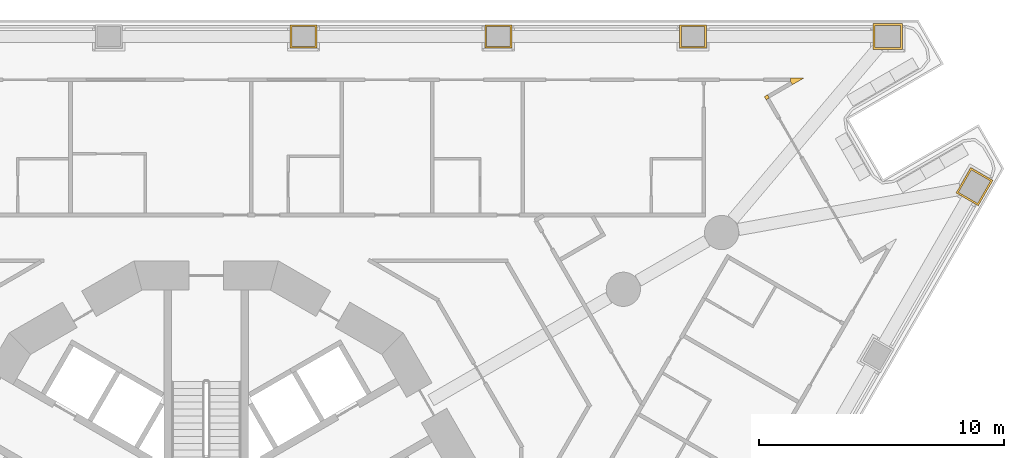
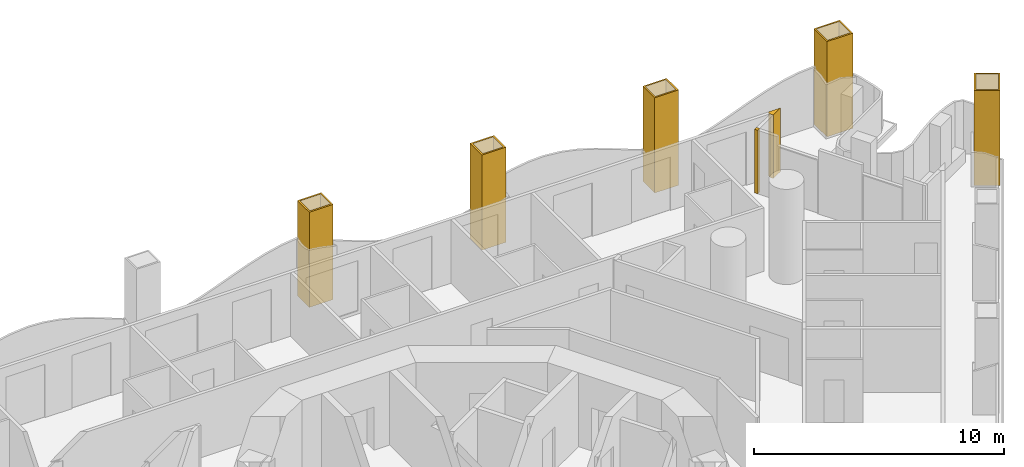
# One storey, part 18 of 19: 7 coverings.
"""IFC4 building model written with IfcOpenShell, lengths in metres."""

import ifcopenshell
import ifcopenshell.guid

model = None  # the IFC model being written
_history = None  # IfcOwnerHistory: only IFC2X3 demands one
_inside = {}  # id of a spatial element -> (the spatial element, [elements in it])
_under = {}  # id of a project, library or spatial element -> (it, [spatial elements below it])
_declared = {}  # id of a project -> (the project, [libraries it declares])
_typed = {}  # id of a type object -> (the type object, [elements of that type])
_made_of = {}  # id of a material, layer set ... -> (it, [elements and type objects made of it])


def new_model(schema):
    """Start an empty IFC model of exactly this schema.

    Asked for "IFC4X3", IfcOpenShell would pick the latest addendum, in which some entities
    have other attributes; the version numbers below select the first issue.
    IFC2X3 requires an IfcOwnerHistory on every rooted entity: one is made here for all.
    """
    global model, _history
    if schema == "IFC4X3":
        model = ifcopenshell.file(schema_version=(4, 3, 0, 0))
    else:
        model = ifcopenshell.file(schema=schema)
    _inside.clear()
    _under.clear()
    _declared.clear()
    _typed.clear()
    _made_of.clear()
    _history = None
    if model.schema == "IFC2X3":
        org = make("IfcOrganization", Name="unknown")
        user = make(
            "IfcPersonAndOrganization",
            ThePerson=make("IfcPerson", FamilyName="unknown"),
            TheOrganization=org,
        )
        app = make(
            "IfcApplication",
            ApplicationDeveloper=org,
            Version="unknown",
            ApplicationFullName="unknown",
            ApplicationIdentifier="unknown",
        )
        _history = make(
            "IfcOwnerHistory",
            OwningUser=user,
            OwningApplication=app,
            ChangeAction="ADDED",
            CreationDate=0,
        )
    return model


def make(cls, **values):
    """One entity of the class cls with the attributes given. An attribute that is None is left unset."""
    return model.create_entity(
        cls, **{name: value for name, value in values.items() if value is not None}
    )


def rooted(cls, **values):
    """An entity with a GlobalId (a new one), such as an element, a storey or a relation."""
    return make(cls, GlobalId=ifcopenshell.guid.new(), OwnerHistory=_history, **values)


def si_unit(unit_type, name, prefix=None):
    """IfcSIUnit, for example si_unit("LENGTHUNIT", "METRE", prefix="MILLI")."""
    return make("IfcSIUnit", UnitType=unit_type, Prefix=prefix, Name=name)


def assignment(units):
    """IfcUnitAssignment: the units of a project."""
    return None if units is None else make("IfcUnitAssignment", Units=units)


def point(xyz):
    """IfcCartesianPoint."""
    return None if xyz is None else make("IfcCartesianPoint", Coordinates=xyz)


def direction(xyz):
    """IfcDirection."""
    return None if xyz is None else make("IfcDirection", DirectionRatios=xyz)


def frame(location, z_axis=None, x_axis=None):
    """IfcAxis2Placement3D, a coordinate frame: its origin and axes. An axis left out is left unset."""
    return make(
        "IfcAxis2Placement3D",
        Location=point(location),
        Axis=direction(z_axis),
        RefDirection=direction(x_axis),
    )


def origin():
    """The frame at (0, 0, 0) with its axes left unset."""
    return frame((0.0, 0.0, 0.0))


def place(relative_to, where):
    """IfcLocalPlacement: puts the frame where relative to a parent placement (None: the world)."""
    return make(
        "IfcLocalPlacement", PlacementRelTo=relative_to, RelativePlacement=where
    )


def context(
    kind, dimensions, precision=None, world=None, true_north=None, identifier=None
):
    """IfcGeometricRepresentationContext, for example the 3D "Model" context."""
    return make(
        "IfcGeometricRepresentationContext",
        ContextIdentifier=identifier,
        ContextType=kind,
        CoordinateSpaceDimension=dimensions,
        Precision=precision,
        WorldCoordinateSystem=world,
        TrueNorth=true_north,
    )


def subcontext(parent, identifier, kind, view, scale=None):
    """IfcGeometricRepresentationSubContext, for example "Body" below "Model"."""
    return make(
        "IfcGeometricRepresentationSubContext",
        ContextIdentifier=identifier,
        ContextType=kind,
        ParentContext=parent,
        TargetScale=scale,
        TargetView=view,
    )


def project(units=None, contexts=None):
    """IfcProject with its units and contexts."""
    return rooted(
        "IfcProject",
        Name="project",
        RepresentationContexts=contexts,
        UnitsInContext=assignment(units),
    )


def spatial(cls, under=None, at=None, **own):
    """A site, building, storey or space (cls), placed at a placement, below another one or the project."""
    s = rooted(cls, ObjectPlacement=at, **own)
    if under is not None:
        _under.setdefault(under.id(), (under, []))[1].append(s)
    return s


def polyline(points):
    """IfcPolyline through the points."""
    return make("IfcPolyline", Points=[point(p) for p in points])


def outline(outer, holes=None, kind="AREA"):
    """IfcArbitraryClosedProfileDef: a profile drawn as a closed curve; with holes, ...WithVoids."""
    if holes is None:
        return make("IfcArbitraryClosedProfileDef", ProfileType=kind, OuterCurve=outer)
    return make(
        "IfcArbitraryProfileDefWithVoids",
        ProfileType=kind,
        OuterCurve=outer,
        InnerCurves=holes,
    )


def extrude(swept, where, along, depth):
    """IfcExtrudedAreaSolid: the profile swept, set in the frame where, extruded along a direction by depth."""
    return make(
        "IfcExtrudedAreaSolid",
        SweptArea=swept,
        Position=where,
        ExtrudedDirection=direction(along),
        Depth=depth,
    )


def shape(context_of_items, identifier, shape_type, items):
    """IfcShapeRepresentation: the items that make up one representation, for example the "Body"."""
    return make(
        "IfcShapeRepresentation",
        ContextOfItems=context_of_items,
        RepresentationIdentifier=identifier,
        RepresentationType=shape_type,
        Items=items,
    )


def material(Name=None, Category=None):
    """IfcMaterial."""
    return make("IfcMaterial", Name=Name, Category=Category)


def layer(
    of_material, thickness, ventilated=None, Name=None, Category=None, Priority=None
):
    """IfcMaterialLayer: one layer of a wall or slab, of a material (None: an air gap)."""
    return make(
        "IfcMaterialLayer",
        Material=of_material,
        LayerThickness=thickness,
        IsVentilated=ventilated,
        Name=Name,
        Category=Category,
        Priority=Priority,
    )


def layer_set(layers, Name=None):
    """IfcMaterialLayerSet."""
    return make("IfcMaterialLayerSet", MaterialLayers=layers, LayerSetName=Name)


def made_of(thing, what):
    """Note that an element or type object is made of a material, layer set ...; save() writes the relation."""
    if what is not None:
        _made_of.setdefault(what.id(), (what, []))[1].append(thing)
    return thing


def type_object(cls, material=None, **own):
    """A type object (cls), such as IfcWallType, which elements share."""
    return made_of(rooted(cls, **own), material)


def element(
    cls,
    number,
    at=None,
    inside=None,
    cuts=None,
    type_object=None,
    material=None,
    context=None,
    identifier="Body",
    shape_type=None,
    held_by="IfcProductDefinitionShape",
    body=None,
    shapes=None,
    **own,
):
    """One element of the class cls, such as IfcWall. Its Tag is "e" and its number.

    at: its placement. inside: the storey or other place that contains it. cuts: it is an
    opening in that element (IfcRelVoidsElement). A single representation is given by context,
    identifier, shape_type and body (its items); several are given by shapes. held_by: the class
    of the entity that holds the representations. save() writes the other relations.
    """
    e = rooted(cls, Tag="e%d" % number, ObjectPlacement=at, **own)
    if body is not None:
        shapes = [shape(context, identifier, shape_type, body)]
    if shapes is not None:
        e.Representation = make(held_by, Representations=shapes)
    if inside is not None:
        _inside.setdefault(inside.id(), (inside, []))[1].append(e)
    if cuts is not None:
        rooted(
            "IfcRelVoidsElement", RelatingBuildingElement=cuts, RelatedOpeningElement=e
        )
    if type_object is not None:
        _typed.setdefault(type_object.id(), (type_object, []))[1].append(e)
    return made_of(e, material)


def aggregate(whole, parts):
    """IfcRelAggregates: a whole, such as a stair, and the parts it consists of."""
    return rooted("IfcRelAggregates", RelatingObject=whole, RelatedObjects=parts)


def save(model, path):
    """Write the relations noted so far, then the file.

    IfcRelAggregates (storeys below a building ...), IfcRelContainedInSpatialStructure (elements
    in a storey), IfcRelDefinesByType, IfcRelAssociatesMaterial and IfcRelDeclares: one each for
    every whole, place, type object, material and project.
    """
    for whole, parts in _under.values():
        aggregate(whole, parts)
    for where, things in _inside.values():
        rooted(
            "IfcRelContainedInSpatialStructure",
            RelatedElements=things,
            RelatingStructure=where,
        )
    for kind, things in _typed.values():
        rooted("IfcRelDefinesByType", RelatedObjects=things, RelatingType=kind)
    for what, things in _made_of.values():
        rooted("IfcRelAssociatesMaterial", RelatedObjects=things, RelatingMaterial=what)
    for by, libraries in _declared.values():
        rooted("IfcRelDeclares", RelatingContext=by, RelatedDefinitions=libraries)
    model.write(path)


model = new_model("IFC4")

# Units and contexts
model_context = context("Model", 3, precision=1e-05, world=origin(), true_north=direction((0.0, 1.0)))
body_context = subcontext(model_context, "Body", "Model", "MODEL_VIEW")
ifc_project = project(units=[si_unit("LENGTHUNIT", "METRE"), si_unit("AREAUNIT", "SQUARE_METRE"), si_unit("VOLUMEUNIT", "CUBIC_METRE"), si_unit("PLANEANGLEUNIT", "RADIAN"), si_unit("MASSUNIT", "GRAM", prefix="KILO")], contexts=[model_context])

# Site, building, storey
site_placement = place(None, origin())
site = spatial("IfcSite", under=ifc_project, at=site_placement, CompositionType="ELEMENT")
building_placement = place(site_placement, origin())
building = spatial("IfcBuilding", under=site, at=building_placement, Name="Trine Commons Tower", CompositionType="ELEMENT")
storey_placement = place(building_placement, frame((0.0, 0.0, 42.300048828125)))
storey = spatial("IfcBuildingStorey", under=building, at=storey_placement, Name="L09", CompositionType="ELEMENT", Elevation=42.300048828125)

# Coverings
ifc_material_1 = material(Name="Aluminium-framed insulated wall panel", Category="aluminium")
ifc_layer_1 = layer(ifc_material_1, 0.14990234375)
ifc_layer_set_1 = layer_set([ifc_layer_1], Name="Aluminium-framed insulated wall panel")
covering_type_1 = type_object("IfcCoveringType", Name="Glazing corner post, aluminium", PredefinedType="CLADDING", material=ifc_layer_set_1)
covering_1_placement = place(storey_placement, origin())
element("IfcCovering", 1, at=covering_1_placement, inside=storey, type_object=covering_type_1, Name="Glazing corner post 1-05", PredefinedType="CLADDING", context=body_context, shape_type="SweptSolid", body=[
    extrude(outline(polyline([(103.96875, 80.714599609375), (104.45361328125, 80.99462890625), (103.893798828125, 80.99462890625), (103.893798828125, 80.844482421875), (103.96875, 80.714599609375)])), origin(), (0.0, 0.0, 1.0), 3.099853515625),
])
covering_2_placement = place(storey_placement, origin())
element("IfcCovering", 2, at=covering_2_placement, inside=storey, type_object=covering_type_1, Name="Glazing corner post 1-06", PredefinedType="CLADDING", context=body_context, shape_type="SweptSolid", body=[
    extrude(outline(polyline([(102.898681640625, 80.0966796875), (103.028564453125, 80.171875), (102.95361328125, 80.3017578125), (102.823486328125, 80.226806640625), (102.898681640625, 80.0966796875)])), origin(), (0.0, 0.0, 1.0), 3.099853515625),
])
ifc_material_2 = material(Name="Limestone, honed", Category="masonry")
ifc_layer_2 = layer(ifc_material_2, 0.074951171875)
ifc_layer_set_2 = layer_set([ifc_layer_2], Name="Limestone, honed")
covering_type_2 = type_object("IfcCoveringType", Name="Limestone column cladding 75", PredefinedType="CLADDING", material=ifc_layer_set_2)
covering_3_placement = place(storey_placement, origin())
element("IfcCovering", 3, at=covering_3_placement, inside=storey, type_object=covering_type_2, Name="Limestone pier cladding 1-13", PredefinedType="CLADDING", context=body_context, shape_type="SweptSolid", body=[
    extrude(outline(polyline([(84.53173828125, 82.209716796875), (84.53173828125, 83.15966796875), (83.431640625, 83.15966796875), (83.431640625, 82.209716796875), (84.53173828125, 82.209716796875)]), holes=[polyline([(84.456787109375, 82.28466796875), (84.456787109375, 83.084716796875), (83.506591796875, 83.084716796875), (83.506591796875, 82.28466796875), (84.456787109375, 82.28466796875)])]), origin(), (0.0, 0.0, 1.0), 4.641357421875),
])
covering_4_placement = place(storey_placement, origin())
element("IfcCovering", 4, at=covering_4_placement, inside=storey, type_object=covering_type_2, Name="Limestone pier cladding 1-14", PredefinedType="CLADDING", context=body_context, shape_type="SweptSolid", body=[
    extrude(outline(polyline([(92.4951171875, 82.209716796875), (92.4951171875, 83.15966796875), (91.39501953125, 83.15966796875), (91.39501953125, 82.209716796875), (92.4951171875, 82.209716796875)]), holes=[polyline([(92.420166015625, 82.28466796875), (92.420166015625, 83.084716796875), (91.47021484375, 83.084716796875), (91.47021484375, 82.28466796875), (92.420166015625, 82.28466796875)])]), origin(), (0.0, 0.0, 1.0), 4.641357421875),
])
covering_5_placement = place(storey_placement, origin())
element("IfcCovering", 5, at=covering_5_placement, inside=storey, type_object=covering_type_2, Name="Limestone pier cladding 1-15", PredefinedType="CLADDING", context=body_context, shape_type="SweptSolid", body=[
    extrude(outline(polyline([(100.45849609375, 82.209716796875), (100.45849609375, 83.15966796875), (99.3583984375, 83.15966796875), (99.3583984375, 82.209716796875), (100.45849609375, 82.209716796875)]), holes=[polyline([(100.38330078125, 82.28466796875), (100.38330078125, 83.084716796875), (99.433349609375, 83.084716796875), (99.433349609375, 82.28466796875), (100.38330078125, 82.28466796875)])]), origin(), (0.0, 0.0, 1.0), 4.641357421875),
])
covering_6_placement = place(storey_placement, origin())
element("IfcCovering", 6, at=covering_6_placement, inside=storey, type_object=covering_type_2, Name="Limestone pier cladding 1-16", PredefinedType="CLADDING", context=body_context, shape_type="SweptSolid", body=[
    extrude(outline(polyline([(108.4716796875, 82.15966796875), (108.4716796875, 83.209716796875), (107.271728515625, 83.209716796875), (107.271728515625, 82.15966796875), (108.4716796875, 82.15966796875)]), holes=[polyline([(108.396728515625, 82.234619140625), (108.396728515625, 83.134521484375), (107.3466796875, 83.134521484375), (107.3466796875, 82.234619140625), (108.396728515625, 82.234619140625)])]), origin(), (0.0, 0.0, 1.0), 4.641357421875),
])
covering_7_placement = place(storey_placement, origin())
element("IfcCovering", 7, at=covering_7_placement, inside=storey, type_object=covering_type_2, Name="Limestone pier cladding 1-17", PredefinedType="CLADDING", context=body_context, shape_type="SweptSolid", body=[
    extrude(outline(polyline([(112.1708984375, 76.802490234375), (111.26171875, 77.327392578125), (110.66162109375, 76.288330078125), (111.571044921875, 75.76318359375), (112.1708984375, 76.802490234375)]), holes=[polyline([(112.068603515625, 76.775146484375), (111.2890625, 77.22509765625), (110.76416015625, 76.315673828125), (111.54345703125, 75.86572265625), (112.068603515625, 76.775146484375)])]), origin(), (0.0, 0.0, 1.0), 4.641357421875),
])

save(model, "model.ifc")
